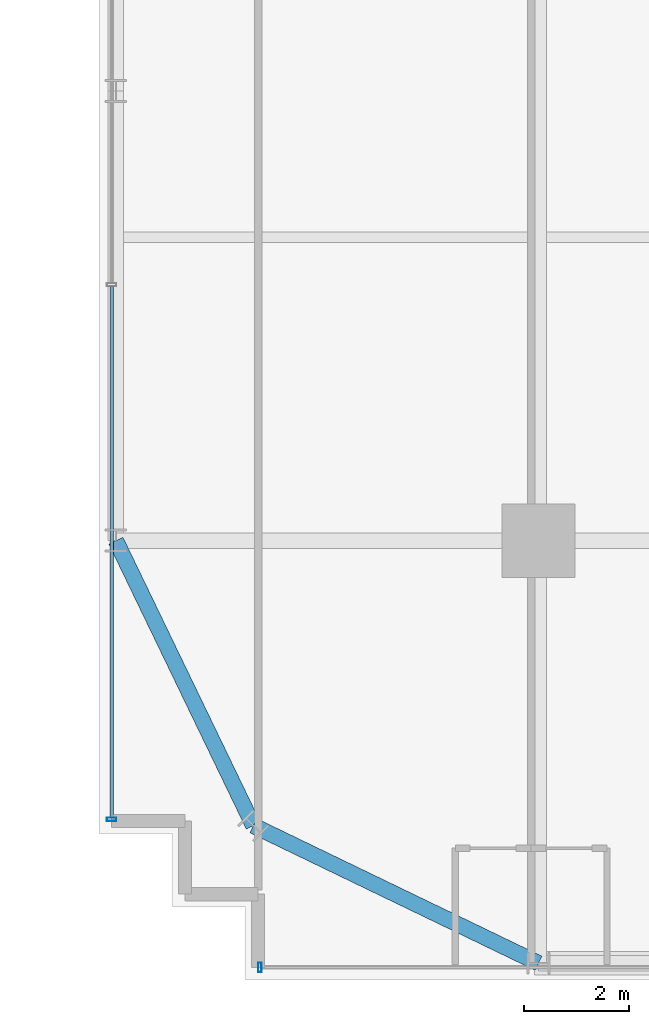
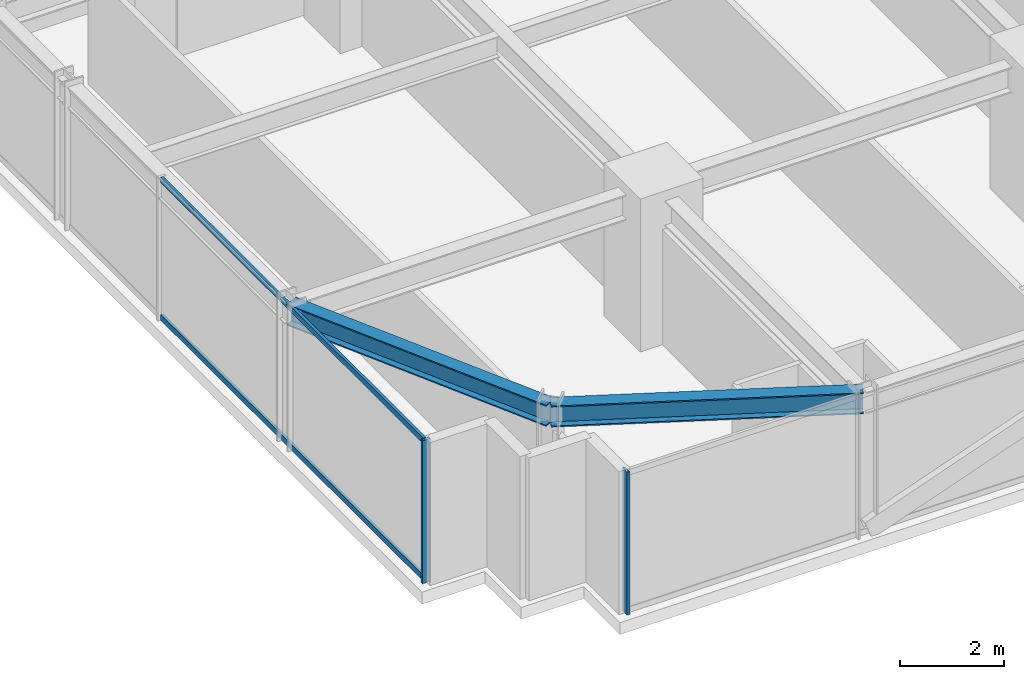
# One storey, part 3 of 36: 4 members, 2 beams, 2 elements without a shape of their own.
"""IFC4 building model written with IfcOpenShell, lengths in metres."""

from ifc_helpers import new_model, si_unit, direction, frame, origin, origin_2d, place, context, subcontext, project, spatial, hollow_rectangle, i_section, extrude, source, transform, mapped, material, material_profile, profile_set, type_object, element, aggregate, save


model = new_model("IFC4")

# Units and contexts
model_context = context("Model", 3, precision=1e-05, world=origin(), true_north=direction((0.0, 1.0)))
body_context = subcontext(model_context, "Body", "Model", "MODEL_VIEW")
ifc_project = project(units=[si_unit("LENGTHUNIT", "METRE"), si_unit("AREAUNIT", "SQUARE_METRE"), si_unit("VOLUMEUNIT", "CUBIC_METRE"), si_unit("PLANEANGLEUNIT", "RADIAN"), si_unit("MASSUNIT", "GRAM", prefix="KILO")], contexts=[model_context])

# Site, building, storey
site_placement = place(None, origin())
site = spatial("IfcSite", under=ifc_project, at=site_placement, CompositionType="ELEMENT")
building_placement = place(site_placement, origin())
building = spatial("IfcBuilding", under=site, at=building_placement, Name="Nahalor Promenade Grand Hotel", CompositionType="ELEMENT")
storey_placement = place(building_placement, frame((0.0, 0.0, 76.199951171875)))
storey = spatial("IfcBuildingStorey", under=building, at=storey_placement, Name="L18", CompositionType="ELEMENT", Elevation=76.199951171875)

# Beams
ifc_material_1 = material(Name="Steel S355JR", Category="steel")
ifc_material_profile_1 = material_profile(ifc_material_1, i_section(OverallWidth=0.3, OverallDepth=0.5, WebThickness=0.0145, FlangeThickness=0.028, at=origin_2d()), Name="HEB 500")
ifc_profile_set_1 = profile_set([ifc_material_profile_1], Name="Steel S355JR")
beam_type = type_object("IfcBeamType", Name="Beam-Spandrel-HEB500", PredefinedType="SPANDREL", material=ifc_profile_set_1)
shared_shape_1 = source(origin(), body_context, "Body", "SweptSolid", [
    extrude(i_section(OverallWidth=0.3, OverallDepth=0.5, WebThickness=0.0145, FlangeThickness=0.028, at=origin_2d()), origin(), (0.0, 0.0, 1.0), 6.051513671875),
])
for number, where, z_axis, x_axis, name in (
    (1, (-17.0, -25.080078125, 3.1201171875), (-0.900608818852, 0.434630596492, 0.0), (-0.434630596492, -0.900608818852, 0.0), "BM-L18-SPC-SW-1"),
    (2, (-22.449951171875, -22.449951171875, 3.1201171875), (-0.434630596492, 0.900608818852, 0.0), (-0.900608818852, -0.434630596492, 0.0), "BM-L18-SPC-SW-2"),
):
    element("IfcBeam", number, at=place(storey_placement, frame(where, z_axis=z_axis, x_axis=x_axis)), inside=storey, type_object=beam_type, Name=name, PredefinedType="SPANDREL", context=body_context, shape_type="MappedRepresentation", body=[
        mapped(shared_shape_1, transform((0.0, 0.0, 0.0), scale=1.0)),
    ])

# Curtain wall, member
ifc_material_2 = material(Name="Anodised Bronze Aluminium EN AW-6063 T6", Category="aluminium")
curtain_wall_type = type_object("IfcCurtainWallType", Name="CW2 Typical Hotel Flush Bronze Unitised Curtain Wall", PredefinedType="USERDEFINED", material=ifc_material_2)
curtain_wall_1_placement = place(storey_placement, origin())
curtain_wall_1 = element("IfcCurtainWall", 3, at=curtain_wall_1_placement, inside=storey, type_object=curtain_wall_type, Name="L18 Curtain Wall CW-L18-S-1", ObjectType="UNITISED_CURTAIN_WALL", PredefinedType="USERDEFINED")
ifc_material_profile_2 = material_profile(ifc_material_2, hollow_rectangle(XDim=0.065, YDim=0.18, WallThickness=0.004, at=origin_2d()), Name="CWM 65x180x4")
ifc_profile_set_2 = profile_set([ifc_material_profile_2], Name="Anodised Bronze Aluminium EN AW-6063 T6")
member_type_1 = type_object("IfcMemberType", Name="CWM2 Typical Bronze Mullion 65x180", PredefinedType="MULLION", material=ifc_profile_set_2)
shared_shape_2 = source(origin(), body_context, "Body", "SweptSolid", [
    extrude(hollow_rectangle(XDim=0.065, YDim=0.18, WallThickness=0.004, at=origin_2d()), origin(), (0.0, 0.0, 1.0), 3.3701171875),
])
member_1_placement = place(storey_placement, frame((-22.327392578125, -25.159912109375, 0.0), z_axis=(0.0, 0.0, 1.0), x_axis=(1.0, 0.0, 0.0)))
member_1 = element("IfcMember", 4, at=member_1_placement, type_object=member_type_1, Name="CW-L18-S-1 Mullion 0", PredefinedType="MULLION", context=body_context, shape_type="MappedRepresentation", body=[
    mapped(shared_shape_2, transform((0.0, 0.0, 0.0), scale=1.0)),
])
aggregate(curtain_wall_1, [member_1])

# Curtain wall, members
curtain_wall_2_placement = place(storey_placement, origin())
curtain_wall_2 = element("IfcCurtainWall", 5, at=curtain_wall_2_placement, inside=storey, type_object=curtain_wall_type, Name="L18 Curtain Wall CW-L18-W-1", ObjectType="UNITISED_CURTAIN_WALL", PredefinedType="USERDEFINED")
member_2_placement = place(storey_placement, frame((-25.159912109375, -22.327392578125, 0.0), z_axis=(0.0, 0.0, 1.0), x_axis=(0.0, 1.0, 0.0)))
member_2 = element("IfcMember", 6, at=member_2_placement, type_object=member_type_1, Name="CW-L18-W-1 Mullion 0", PredefinedType="MULLION", context=body_context, shape_type="MappedRepresentation", body=[
    mapped(shared_shape_2, transform((0.0, 0.0, 0.0), scale=1.0)),
])
ifc_material_profile_3 = material_profile(ifc_material_2, hollow_rectangle(XDim=0.065, YDim=0.13, WallThickness=0.004, at=origin_2d()), Name="CWT 65x130x4")
ifc_profile_set_3 = profile_set([ifc_material_profile_3], Name="Anodised Bronze Aluminium EN AW-6063 T6")
member_type_2 = type_object("IfcMemberType", Name="CWT2 Typical Bronze Transom 65x130", PredefinedType="USERDEFINED", material=ifc_profile_set_3)
shared_shape_3 = source(origin(), body_context, "Body", "SweptSolid", [
    extrude(hollow_rectangle(XDim=0.065, YDim=0.13, WallThickness=0.004, at=origin_2d()), origin(), (0.0, 0.0, 1.0), 10.15576171875),
])
member_3_placement = place(storey_placement, frame((-25.159912109375, -22.294921875, 0.06494140625), z_axis=(0.0, 1.0, 0.0), x_axis=(-1.0, 0.0, 0.0)))
member_3 = element("IfcMember", 7, at=member_3_placement, type_object=member_type_2, Name="CW-L18-W-1 Transom 0-0", ObjectType="TRANSOM", PredefinedType="USERDEFINED", context=body_context, shape_type="MappedRepresentation", body=[
    mapped(shared_shape_3, transform((0.0, 0.0, 0.0), scale=1.0)),
])
member_4_placement = place(storey_placement, frame((-25.159912109375, -22.294921875, 3.304931640625), z_axis=(0.0, 1.0, 0.0), x_axis=(-1.0, 0.0, 0.0)))
member_4 = element("IfcMember", 8, at=member_4_placement, type_object=member_type_2, Name="CW-L18-W-1 Transom 0-1", ObjectType="TRANSOM", PredefinedType="USERDEFINED", context=body_context, shape_type="MappedRepresentation", body=[
    mapped(shared_shape_3, transform((0.0, 0.0, 0.0), scale=1.0)),
])
aggregate(curtain_wall_2, [member_2, member_3, member_4])

save(model, "model.ifc")
